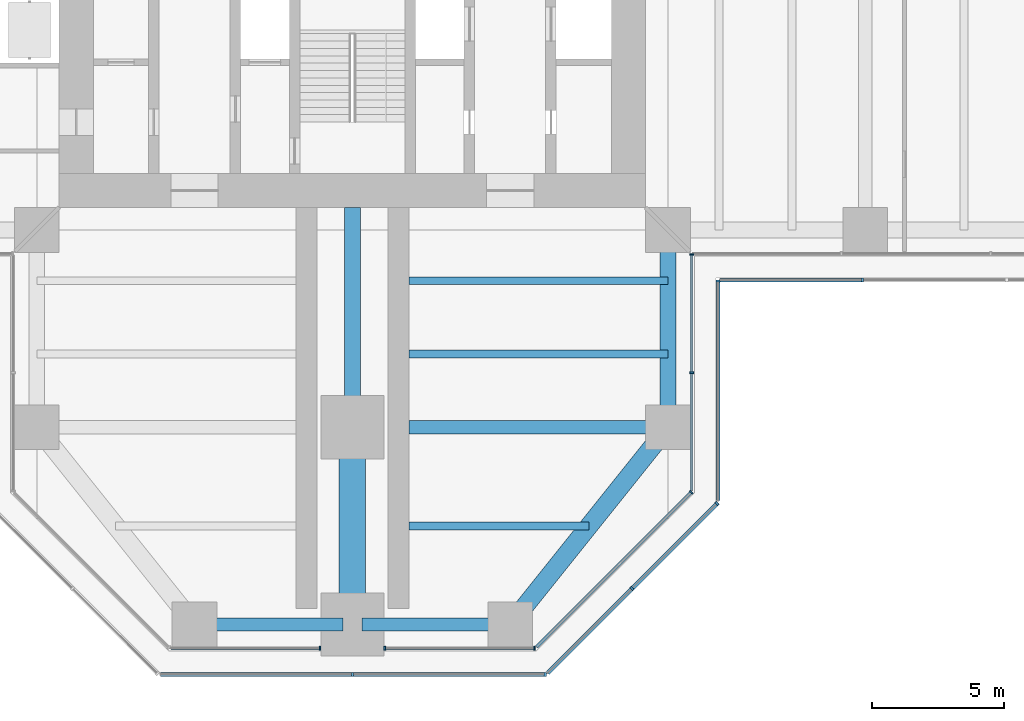
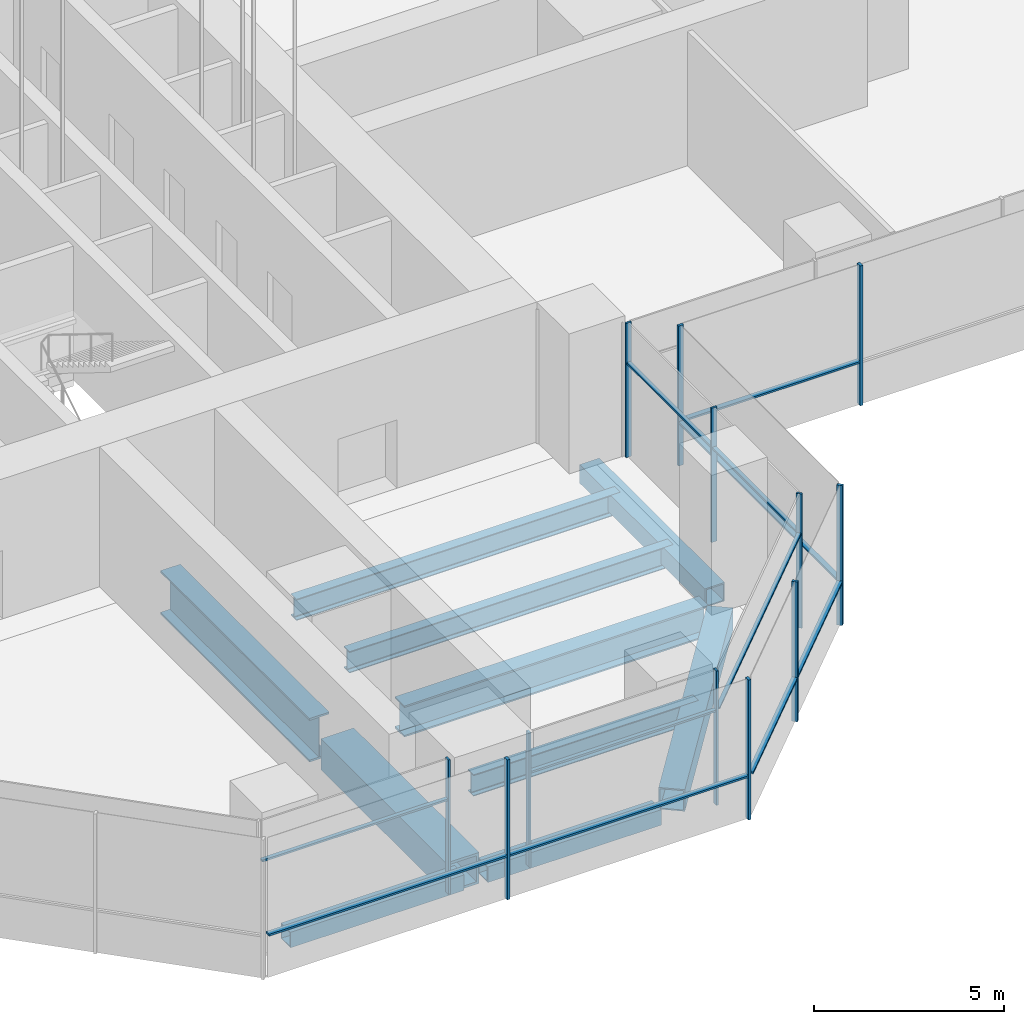
# One storey, part 4 of 34: 23 members, 10 beams, 8 elements without a shape of their own.
"""IFC4 building model written with IfcOpenShell, lengths in metres."""

from ifc_helpers import new_model, si_unit, direction, frame, origin, origin_2d, place, context, subcontext, project, spatial, rectangle, hollow_rectangle, i_section, extrude, material, material_profile, profile_set, type_object, element, aggregate, save


model = new_model("IFC4")

# Units and contexts
model_context = context("Model", 3, precision=1e-05, world=origin(), true_north=direction((0.0, 1.0)))
body_context = subcontext(model_context, "Body", "Model", "MODEL_VIEW")
ifc_project = project(units=[si_unit("LENGTHUNIT", "METRE"), si_unit("AREAUNIT", "SQUARE_METRE"), si_unit("VOLUMEUNIT", "CUBIC_METRE"), si_unit("PLANEANGLEUNIT", "RADIAN"), si_unit("MASSUNIT", "GRAM", prefix="KILO")], contexts=[model_context])

# Site, building, storey
site_placement = place(None, origin())
site = spatial("IfcSite", under=ifc_project, at=site_placement, CompositionType="ELEMENT")
building_placement = place(site_placement, origin())
building = spatial("IfcBuilding", under=site, at=building_placement, Name="Mizan Broadcast Tower", CompositionType="ELEMENT")
storey_placement = place(building_placement, frame((0.0, 0.0, 194.39990234375)))
storey = spatial("IfcBuildingStorey", under=building, at=storey_placement, Name="L45", CompositionType="ELEMENT", Elevation=194.39990234375)

# Beams
ifc_material_1 = material(Name="Steel S355", Category="steel")
ifc_material_profile_1 = material_profile(ifc_material_1, hollow_rectangle(XDim=0.5, YDim=0.5, WallThickness=0.030029296875, at=origin_2d()), Name="BOX 500x500x30")
ifc_profile_set_1 = profile_set([ifc_material_profile_1], Name="Steel S355")
beam_type_1 = type_object("IfcBeamType", Name="EDGE BEAM BOX 500x500x30", PredefinedType="SPANDREL", material=ifc_profile_set_1)
for number, where, z_axis, x_axis, name in (
    (1, (-5.639892578125, -27.0, -0.3798828125), (1.0, 0.0, 0.0), (0.0, 1.0, 0.0), "Edge beam BOX 500x500x30 L45 south arm"),
    (2, (5.639892578125, -27.0, -0.3798828125), (-1.0, 0.0, 0.0), (0.0, -1.0, 0.0), "Edge beam BOX 500x500x30 L45 south arm"),
):
    element("IfcBeam", number, at=place(storey_placement, frame(where, z_axis=z_axis, x_axis=x_axis)), inside=storey, type_object=beam_type_1, Name=name, PredefinedType="SPANDREL", context=body_context, shape_type="SweptSolid", body=[
        extrude(hollow_rectangle(XDim=0.5, YDim=0.5, WallThickness=0.030029296875, at=origin_2d()), origin(), (0.0, 0.0, 1.0), 5.27978515625),
    ])
ifc_material_2 = material(Name="Steel S355", Category="steel")
ifc_material_profile_2 = material_profile(ifc_material_2, hollow_rectangle(XDim=0.60009765625, YDim=0.60009765625, WallThickness=0.0400390625, at=origin_2d()), Name="BOX 600x600x40")
ifc_profile_set_2 = profile_set([ifc_material_profile_2], Name="Steel S355")
beam_type_2 = type_object("IfcBeamType", Name="EDGE BEAM BOX 600x600x40", PredefinedType="SPANDREL", material=ifc_profile_set_2)
beam_1_placement = place(storey_placement, frame((12.0, -12.449951171875, -0.429931640625), z_axis=(0.0, -1.0, 0.0), x_axis=(1.0, 0.0, 0.0)))
element("IfcBeam", 3, at=beam_1_placement, inside=storey, type_object=beam_type_2, Name="Edge beam BOX 600x600x40 L45 south arm", PredefinedType="SPANDREL", context=body_context, shape_type="SweptSolid", body=[
    extrude(hollow_rectangle(XDim=0.60009765625, YDim=0.60009765625, WallThickness=0.0400390625, at=origin_2d()), origin(), (0.0, 0.0, 1.0), 6.60009765625),
])
ifc_material_3 = material(Name="Steel S355", Category="steel")
ifc_material_profile_3 = material_profile(ifc_material_3, hollow_rectangle(XDim=0.699951171875, YDim=0.699951171875, WallThickness=0.0400390625, at=origin_2d()), Name="BOX 700x700x40")
ifc_profile_set_3 = profile_set([ifc_material_profile_3], Name="Steel S355")
beam_type_3 = type_object("IfcBeamType", Name="EDGE BEAM BOX 700x700x40", PredefinedType="SPANDREL", material=ifc_profile_set_3)
beam_2_placement = place(storey_placement, frame((11.639892578125, -19.949951171875, -0.47998046875), z_axis=(-0.624673911726, -0.780885717636, 0.0), x_axis=(0.780885717636, -0.624673911726, 0.0)))
element("IfcBeam", 4, at=beam_2_placement, inside=storey, type_object=beam_type_3, Name="Edge beam BOX 700x700x40 L45 south arm", PredefinedType="SPANDREL", context=body_context, shape_type="SweptSolid", body=[
    extrude(hollow_rectangle(XDim=0.699951171875, YDim=0.699951171875, WallThickness=0.0400390625, at=origin_2d()), origin(), (0.0, 0.0, 1.0), 8.4521484375),
])
ifc_material_4 = material(Name="Steel S460", Category="steel")
ifc_material_profile_4 = material_profile(ifc_material_4, hollow_rectangle(XDim=1.0, YDim=1.0, WallThickness=0.080078125, at=origin_2d()), Name="BOX 1000x1000x80")
ifc_profile_set_4 = profile_set([ifc_material_profile_4], Name="Steel S460")
beam_type_4 = type_object("IfcBeamType", Name="GIRDER BOX 1000x1000x80", PredefinedType="BEAM", material=ifc_profile_set_4)
beam_3_placement = place(storey_placement, frame((0.0, -19.949951171875, -0.6298828125), z_axis=(0.0, -1.0, 0.0), x_axis=(1.0, 0.0, 0.0)))
element("IfcBeam", 5, at=beam_3_placement, inside=storey, type_object=beam_type_4, Name="Girder BOX 1000x1000x80 L45 south arm", PredefinedType="BEAM", context=body_context, shape_type="SweptSolid", body=[
    extrude(hollow_rectangle(XDim=1.0, YDim=1.0, WallThickness=0.080078125, at=origin_2d()), origin(), (0.0, 0.0, 1.0), 6.60009765625),
])
ifc_material_5 = material(Name="Steel S460", Category="steel")
ifc_material_profile_5 = material_profile(ifc_material_5, i_section(OverallWidth=0.5, OverallDepth=1.0, WebThickness=0.02490234375, FlangeThickness=0.050048828125, at=origin_2d()), Name="WPG 1000x500")
ifc_profile_set_5 = profile_set([ifc_material_profile_5], Name="Steel S460")
beam_type_5 = type_object("IfcBeamType", Name="GIRDER WPG 1000x500", PredefinedType="BEAM", material=ifc_profile_set_5)
beam_4_placement = place(storey_placement, frame((11.408935546875, -19.5, -0.6298828125), z_axis=(-1.0, 0.0, 0.0), x_axis=(0.0, -1.0, 0.0)))
element("IfcBeam", 6, at=beam_4_placement, inside=storey, type_object=beam_type_5, Name="Girder WPG 1000x500 L45 south arm", PredefinedType="BEAM", context=body_context, shape_type="SweptSolid", body=[
    extrude(i_section(OverallWidth=0.5, OverallDepth=1.0, WebThickness=0.02490234375, FlangeThickness=0.050048828125, at=origin_2d()), origin(), (0.0, 0.0, 1.0), 9.259033203125),
])
ifc_material_6 = material(Name="Steel S460", Category="steel")
ifc_material_profile_6 = material_profile(ifc_material_6, i_section(OverallWidth=0.60009765625, OverallDepth=1.39990234375, WebThickness=0.02490234375, FlangeThickness=0.06005859375, at=origin_2d()), Name="WPG 1400x600")
ifc_profile_set_6 = profile_set([ifc_material_profile_6], Name="Steel S460")
beam_type_6 = type_object("IfcBeamType", Name="GIRDER WPG 1400x600", PredefinedType="BEAM", material=ifc_profile_set_6)
beam_5_placement = place(storey_placement, frame((0.0, -11.14990234375, -0.829833984375), z_axis=(0.0, -1.0, 0.0), x_axis=(1.0, 0.0, 0.0)))
element("IfcBeam", 7, at=beam_5_placement, inside=storey, type_object=beam_type_6, Name="Girder WPG 1400x600 L45 south arm", PredefinedType="BEAM", context=body_context, shape_type="SweptSolid", body=[
    extrude(i_section(OverallWidth=0.60009765625, OverallDepth=1.39990234375, WebThickness=0.02490234375, FlangeThickness=0.06005859375, at=origin_2d()), origin(), (0.0, 0.0, 1.0), 7.84912109375),
])

# Curtain wall, member
ifc_material_7 = material(Name="Aluminium framed glazing", Category="aluminium")
curtain_wall_type_1 = type_object("IfcCurtainWallType", Name="INNER SKIN HIGH ZONE", PredefinedType="USERDEFINED", material=ifc_material_7)
curtain_wall_1_placement = place(storey_placement, origin())
curtain_wall_1 = element("IfcCurtainWall", 8, at=curtain_wall_1_placement, inside=storey, type_object=curtain_wall_type_1, Name="Inner skin high zone L45 S end", ObjectType="INNER SKIN HIGH ZONE", PredefinedType="USERDEFINED")
ifc_material_8 = material(Name="Aluminium, pale anodised", Category="aluminium")
ifc_material_profile_7 = material_profile(ifc_material_8, rectangle(XDim=0.159912109375, YDim=0.06005859375, at=origin_2d()), Name="MULLION 160x60")
ifc_profile_set_7 = profile_set([ifc_material_profile_7], Name="Aluminium, pale anodised")
member_type_1 = type_object("IfcMemberType", Name="INNER SKIN MULLION 60x160", PredefinedType="MULLION", material=ifc_profile_set_7)
member_1_placement = place(storey_placement, frame((-1.22998046875, -27.89990234375, 0.0), z_axis=(0.0, 0.0, 1.0), x_axis=(0.0, 1.0, 0.0)))
member_1 = element("IfcMember", 9, at=member_1_placement, type_object=member_type_1, Name="Inner skin high zone L45 S end mullion 2", PredefinedType="MULLION", context=body_context, shape_type="SweptSolid", body=[
    extrude(rectangle(XDim=0.159912109375, YDim=0.06005859375, at=origin_2d()), origin(), (0.0, 0.0, 1.0), 4.320068359375),
])

# Curtain wall, members
curtain_wall_2_placement = place(storey_placement, origin())
curtain_wall_2 = element("IfcCurtainWall", 10, at=curtain_wall_2_placement, inside=storey, type_object=curtain_wall_type_1, Name="Inner skin high zone L45 S end", ObjectType="INNER SKIN HIGH ZONE", PredefinedType="USERDEFINED")
member_2_placement = place(storey_placement, frame((1.22998046875, -27.89990234375, 0.0), z_axis=(0.0, 0.0, 1.0), x_axis=(0.0, 1.0, 0.0)))
member_2 = element("IfcMember", 11, at=member_2_placement, type_object=member_type_1, Name="Inner skin high zone L45 S end mullion 1", PredefinedType="MULLION", context=body_context, shape_type="SweptSolid", body=[
    extrude(rectangle(XDim=0.159912109375, YDim=0.06005859375, at=origin_2d()), origin(), (0.0, 0.0, 1.0), 4.320068359375),
])
member_3_placement = place(storey_placement, frame((6.928466796875, -27.89990234375, 0.0), z_axis=(0.0, 0.0, 1.0), x_axis=(0.0, 1.0, 0.0)))
member_3 = element("IfcMember", 12, at=member_3_placement, type_object=member_type_1, Name="Inner skin high zone L45 S end mullion 2", PredefinedType="MULLION", context=body_context, shape_type="SweptSolid", body=[
    extrude(rectangle(XDim=0.159912109375, YDim=0.06005859375, at=origin_2d()), origin(), (0.0, 0.0, 1.0), 4.320068359375),
])

# Curtain wall, member
curtain_wall_3_placement = place(storey_placement, origin())
curtain_wall_3 = element("IfcCurtainWall", 13, at=curtain_wall_3_placement, inside=storey, type_object=curtain_wall_type_1, Name="Inner skin high zone L45 S chamfer", ObjectType="INNER SKIN HIGH ZONE", PredefinedType="USERDEFINED")
member_4_placement = place(storey_placement, frame((12.87890625, -21.979736328125, 0.0), z_axis=(0.0, 0.0, 1.0), x_axis=(-0.707106781187, 0.707106781187, 0.0)))
member_4 = element("IfcMember", 14, at=member_4_placement, type_object=member_type_1, Name="Inner skin high zone L45 S chamfer mullion 2", PredefinedType="MULLION", context=body_context, shape_type="SweptSolid", body=[
    extrude(rectangle(XDim=0.159912109375, YDim=0.06005859375, at=origin_2d()), origin(), (0.0, 0.0, 1.0), 4.320068359375),
])

# Curtain wall, members
curtain_wall_4_placement = place(storey_placement, origin())
curtain_wall_4 = element("IfcCurtainWall", 15, at=curtain_wall_4_placement, inside=storey, type_object=curtain_wall_type_1, Name="Inner skin high zone L45 S side", ObjectType="INNER SKIN HIGH ZONE", PredefinedType="USERDEFINED")
member_5_placement = place(storey_placement, frame((12.89990234375, -17.42919921875, 0.0), z_axis=(0.0, 0.0, 1.0), x_axis=(-1.0, 0.0, 0.0)))
member_5 = element("IfcMember", 16, at=member_5_placement, type_object=member_type_1, Name="Inner skin high zone L45 S side mullion 2", PredefinedType="MULLION", context=body_context, shape_type="SweptSolid", body=[
    extrude(rectangle(XDim=0.159912109375, YDim=0.06005859375, at=origin_2d()), origin(), (0.0, 0.0, 1.0), 4.320068359375),
])
member_6_placement = place(storey_placement, frame((12.89990234375, -12.929931640625, 0.0), z_axis=(0.0, 0.0, 1.0), x_axis=(-1.0, 0.0, 0.0)))
member_6 = element("IfcMember", 17, at=member_6_placement, type_object=member_type_1, Name="Inner skin high zone L45 S side mullion 3", PredefinedType="MULLION", context=body_context, shape_type="SweptSolid", body=[
    extrude(rectangle(XDim=0.159912109375, YDim=0.06005859375, at=origin_2d()), origin(), (0.0, 0.0, 1.0), 4.320068359375),
])

# Member
ifc_material_9 = material(Name="Aluminium, pale anodised", Category="aluminium")
ifc_material_profile_8 = material_profile(ifc_material_9, rectangle(XDim=0.1201171875, YDim=0.06005859375, at=origin_2d()), Name="TRANSOM 120x60")
ifc_profile_set_8 = profile_set([ifc_material_profile_8], Name="Aluminium, pale anodised")
member_type_2 = type_object("IfcMemberType", Name="INNER SKIN TRANSOM 60x120", PredefinedType="USERDEFINED", material=ifc_profile_set_8)
member_7_placement = place(storey_placement, frame((-6.898681640625, -27.89990234375, 3.030029296875), z_axis=(1.0, 0.0, 0.0), x_axis=(0.0, 1.0, 0.0)))
member_7 = element("IfcMember", 18, at=member_7_placement, type_object=member_type_2, Name="Inner skin high zone L45 S end transom 1.1", ObjectType="TRANSOM", PredefinedType="USERDEFINED", context=body_context, shape_type="SweptSolid", body=[
    extrude(rectangle(XDim=0.1201171875, YDim=0.06005859375, at=origin_2d()), origin(), (0.0, 0.0, 1.0), 5.638671875),
])

aggregate(curtain_wall_1, [member_1, member_7])

member_8_placement = place(storey_placement, frame((1.260009765625, -27.89990234375, 3.030029296875), z_axis=(1.0, 0.0, 0.0), x_axis=(0.0, 1.0, 0.0)))
member_8 = element("IfcMember", 19, at=member_8_placement, type_object=member_type_2, Name="Inner skin high zone L45 S end transom 1.1", ObjectType="TRANSOM", PredefinedType="USERDEFINED", context=body_context, shape_type="SweptSolid", body=[
    extrude(rectangle(XDim=0.1201171875, YDim=0.06005859375, at=origin_2d()), origin(), (0.0, 0.0, 1.0), 5.638671875),
])

aggregate(curtain_wall_2, [member_2, member_3, member_8])

member_9_placement = place(storey_placement, frame((7.0009765625, -27.857666015625, 3.030029296875), z_axis=(0.707106781187, 0.707106781187, 0.0), x_axis=(-0.707106781187, 0.707106781187, 0.0)))
member_9 = element("IfcMember", 20, at=member_9_placement, type_object=member_type_2, Name="Inner skin high zone L45 S chamfer transom 1.1", ObjectType="TRANSOM", PredefinedType="USERDEFINED", context=body_context, shape_type="SweptSolid", body=[
    extrude(rectangle(XDim=0.1201171875, YDim=0.06005859375, at=origin_2d()), origin(), (0.0, 0.0, 1.0), 8.28271484375),
])

aggregate(curtain_wall_3, [member_4, member_9])

member_10_placement = place(storey_placement, frame((12.89990234375, -21.898681640625, 3.030029296875), z_axis=(0.0, 1.0, 0.0), x_axis=(-1.0, 0.0, 0.0)))
member_10 = element("IfcMember", 21, at=member_10_placement, type_object=member_type_2, Name="Inner skin high zone L45 S side transom 1.1", ObjectType="TRANSOM", PredefinedType="USERDEFINED", context=body_context, shape_type="SweptSolid", body=[
    extrude(rectangle(XDim=0.1201171875, YDim=0.06005859375, at=origin_2d()), origin(), (0.0, 0.0, 1.0), 4.439453125),
])

member_11_placement = place(storey_placement, frame((12.89990234375, -17.399169921875, 3.030029296875), z_axis=(0.0, 1.0, 0.0), x_axis=(-1.0, 0.0, 0.0)))
member_11 = element("IfcMember", 22, at=member_11_placement, type_object=member_type_2, Name="Inner skin high zone L45 S side transom 2.1", ObjectType="TRANSOM", PredefinedType="USERDEFINED", context=body_context, shape_type="SweptSolid", body=[
    extrude(rectangle(XDim=0.1201171875, YDim=0.06005859375, at=origin_2d()), origin(), (0.0, 0.0, 1.0), 4.439208984375),
])

aggregate(curtain_wall_4, [member_5, member_6, member_10, member_11])

# Curtain wall, member
ifc_material_10 = material(Name="Aluminium framed glazing", Category="aluminium")
curtain_wall_type_2 = type_object("IfcCurtainWallType", Name="OUTER SKIN", PredefinedType="USERDEFINED", material=ifc_material_10)
curtain_wall_5_placement = place(storey_placement, origin())
curtain_wall_5 = element("IfcCurtainWall", 23, at=curtain_wall_5_placement, inside=storey, type_object=curtain_wall_type_2, Name="Outer skin L45 E side", ObjectType="OUTER SKIN", PredefinedType="USERDEFINED")
ifc_material_11 = material(Name="Aluminium, pale anodised", Category="aluminium")
ifc_material_profile_9 = material_profile(ifc_material_11, rectangle(XDim=0.159912109375, YDim=0.080078125, at=origin_2d()), Name="MULLION 160x80")
ifc_profile_set_9 = profile_set([ifc_material_profile_9], Name="Aluminium, pale anodised")
member_type_3 = type_object("IfcMemberType", Name="OUTER SKIN MULLION 80x160", PredefinedType="MULLION", material=ifc_profile_set_9)
member_12_placement = place(storey_placement, frame((19.390869140625, -13.89990234375, 0.0), z_axis=(0.0, 0.0, 1.0), x_axis=(0.0, 1.0, 0.0)))
member_12 = element("IfcMember", 24, at=member_12_placement, type_object=member_type_3, Name="Outer skin L45 E side mullion 2", PredefinedType="MULLION", context=body_context, shape_type="SweptSolid", body=[
    extrude(rectangle(XDim=0.159912109375, YDim=0.080078125, at=origin_2d()), origin(), (0.0, 0.0, 1.0), 4.5),
])

# Curtain wall, members
curtain_wall_6_placement = place(storey_placement, origin())
curtain_wall_6 = element("IfcCurtainWall", 25, at=curtain_wall_6_placement, inside=storey, type_object=curtain_wall_type_2, Name="Outer skin L45 S end", ObjectType="OUTER SKIN", PredefinedType="USERDEFINED")
member_13_placement = place(storey_placement, frame((0.0, -28.89990234375, 0.0), z_axis=(0.0, 0.0, 1.0), x_axis=(0.0, 1.0, 0.0)))
member_13 = element("IfcMember", 26, at=member_13_placement, type_object=member_type_3, Name="Outer skin L45 S end mullion 2", PredefinedType="MULLION", context=body_context, shape_type="SweptSolid", body=[
    extrude(rectangle(XDim=0.159912109375, YDim=0.080078125, at=origin_2d()), origin(), (0.0, 0.0, 1.0), 4.5),
])
member_14_placement = place(storey_placement, frame((7.332763671875, -28.89990234375, 0.0), z_axis=(0.0, 0.0, 1.0), x_axis=(0.0, 1.0, 0.0)))
member_14 = element("IfcMember", 27, at=member_14_placement, type_object=member_type_3, Name="Outer skin L45 S end mullion 3", PredefinedType="MULLION", context=body_context, shape_type="SweptSolid", body=[
    extrude(rectangle(XDim=0.159912109375, YDim=0.080078125, at=origin_2d()), origin(), (0.0, 0.0, 1.0), 4.5),
])

curtain_wall_7_placement = place(storey_placement, origin())
curtain_wall_7 = element("IfcCurtainWall", 28, at=curtain_wall_7_placement, inside=storey, type_object=curtain_wall_type_2, Name="Outer skin L45 S chamfer", ObjectType="OUTER SKIN", PredefinedType="USERDEFINED")
member_15_placement = place(storey_placement, frame((10.636474609375, -25.636474609375, 0.0), z_axis=(0.0, 0.0, 1.0), x_axis=(-0.707106781187, 0.707106781187, 0.0)))
member_15 = element("IfcMember", 29, at=member_15_placement, type_object=member_type_3, Name="Outer skin L45 S chamfer mullion 2", PredefinedType="MULLION", context=body_context, shape_type="SweptSolid", body=[
    extrude(rectangle(XDim=0.159912109375, YDim=0.080078125, at=origin_2d()), origin(), (0.0, 0.0, 1.0), 4.5),
])
member_16_placement = place(storey_placement, frame((13.871826171875, -22.401123046875, 0.0), z_axis=(0.0, 0.0, 1.0), x_axis=(-0.707106781187, 0.707106781187, 0.0)))
member_16 = element("IfcMember", 30, at=member_16_placement, type_object=member_type_3, Name="Outer skin L45 S chamfer mullion 3", PredefinedType="MULLION", context=body_context, shape_type="SweptSolid", body=[
    extrude(rectangle(XDim=0.159912109375, YDim=0.080078125, at=origin_2d()), origin(), (0.0, 0.0, 1.0), 4.5),
])

# Curtain wall, member
curtain_wall_8_placement = place(storey_placement, origin())
curtain_wall_8 = element("IfcCurtainWall", 31, at=curtain_wall_8_placement, inside=storey, type_object=curtain_wall_type_2, Name="Outer skin L45 S side", ObjectType="OUTER SKIN", PredefinedType="USERDEFINED")
member_17_placement = place(storey_placement, frame((13.89990234375, -13.93994140625, 0.0), z_axis=(0.0, 0.0, 1.0), x_axis=(-1.0, 0.0, 0.0)))
member_17 = element("IfcMember", 32, at=member_17_placement, type_object=member_type_3, Name="Outer skin L45 S side mullion 2", PredefinedType="MULLION", context=body_context, shape_type="SweptSolid", body=[
    extrude(rectangle(XDim=0.159912109375, YDim=0.080078125, at=origin_2d()), origin(), (0.0, 0.0, 1.0), 4.5),
])

# Member
ifc_material_12 = material(Name="Aluminium, pale anodised", Category="aluminium")
ifc_material_profile_10 = material_profile(ifc_material_12, rectangle(XDim=0.159912109375, YDim=0.06005859375, at=origin_2d()), Name="TRANSOM 160x60")
ifc_profile_set_10 = profile_set([ifc_material_profile_10], Name="Aluminium, pale anodised")
member_type_4 = type_object("IfcMemberType", Name="OUTER SKIN TRANSOM 60x160", PredefinedType="USERDEFINED", material=ifc_profile_set_10)
member_18_placement = place(storey_placement, frame((13.97998046875, -13.89990234375, 1.400146484375), z_axis=(1.0, 0.0, 0.0), x_axis=(0.0, 1.0, 0.0)))
member_18 = element("IfcMember", 33, at=member_18_placement, type_object=member_type_4, Name="Outer skin L45 E side transom 1.1", ObjectType="TRANSOM", PredefinedType="USERDEFINED", context=body_context, shape_type="SweptSolid", body=[
    extrude(rectangle(XDim=0.159912109375, YDim=0.06005859375, at=origin_2d()), origin(), (0.0, 0.0, 1.0), 5.370849609375),
])

aggregate(curtain_wall_5, [member_12, member_18])

member_19_placement = place(storey_placement, frame((-7.292724609375, -28.89990234375, 1.400146484375), z_axis=(1.0, 0.0, 0.0), x_axis=(0.0, 1.0, 0.0)))
member_19 = element("IfcMember", 34, at=member_19_placement, type_object=member_type_4, Name="Outer skin L45 S end transom 1.1", ObjectType="TRANSOM", PredefinedType="USERDEFINED", context=body_context, shape_type="SweptSolid", body=[
    extrude(rectangle(XDim=0.159912109375, YDim=0.06005859375, at=origin_2d()), origin(), (0.0, 0.0, 1.0), 7.252685546875),
])

member_20_placement = place(storey_placement, frame((0.0400390625, -28.89990234375, 1.400146484375), z_axis=(1.0, 0.0, 0.0), x_axis=(0.0, 1.0, 0.0)))
member_20 = element("IfcMember", 35, at=member_20_placement, type_object=member_type_4, Name="Outer skin L45 S end transom 2.1", ObjectType="TRANSOM", PredefinedType="USERDEFINED", context=body_context, shape_type="SweptSolid", body=[
    extrude(rectangle(XDim=0.159912109375, YDim=0.06005859375, at=origin_2d()), origin(), (0.0, 0.0, 1.0), 7.252685546875),
])

aggregate(curtain_wall_6, [member_13, member_14, member_19, member_20])

member_21_placement = place(storey_placement, frame((7.429443359375, -28.843505859375, 1.400146484375), z_axis=(0.707106781187, 0.707106781187, 0.0), x_axis=(-0.707106781187, 0.707106781187, 0.0)))
member_21 = element("IfcMember", 36, at=member_21_placement, type_object=member_type_4, Name="Outer skin L45 S chamfer transom 1.1", ObjectType="TRANSOM", PredefinedType="USERDEFINED", context=body_context, shape_type="SweptSolid", body=[
    extrude(rectangle(XDim=0.159912109375, YDim=0.06005859375, at=origin_2d()), origin(), (0.0, 0.0, 1.0), 4.495361328125),
])

member_22_placement = place(storey_placement, frame((10.664794921875, -25.608154296875, 1.400146484375), z_axis=(0.707106781187, 0.707106781187, 0.0), x_axis=(-0.707106781187, 0.707106781187, 0.0)))
member_22 = element("IfcMember", 37, at=member_22_placement, type_object=member_type_4, Name="Outer skin L45 S chamfer transom 2.1", ObjectType="TRANSOM", PredefinedType="USERDEFINED", context=body_context, shape_type="SweptSolid", body=[
    extrude(rectangle(XDim=0.159912109375, YDim=0.06005859375, at=origin_2d()), origin(), (0.0, 0.0, 1.0), 4.495361328125),
])

aggregate(curtain_wall_7, [member_15, member_16, member_21, member_22])

member_23_placement = place(storey_placement, frame((13.89990234375, -22.292724609375, 1.400146484375), z_axis=(0.0, 1.0, 0.0), x_axis=(-1.0, 0.0, 0.0)))
member_23 = element("IfcMember", 38, at=member_23_placement, type_object=member_type_4, Name="Outer skin L45 S side transom 1.1", ObjectType="TRANSOM", PredefinedType="USERDEFINED", context=body_context, shape_type="SweptSolid", body=[
    extrude(rectangle(XDim=0.159912109375, YDim=0.06005859375, at=origin_2d()), origin(), (0.0, 0.0, 1.0), 8.312744140625),
])

aggregate(curtain_wall_8, [member_17, member_23])

# Beams
ifc_material_13 = material(Name="Steel S355", Category="steel")
ifc_material_profile_11 = material_profile(ifc_material_13, i_section(OverallWidth=0.300048828125, OverallDepth=0.68994140625, WebThickness=0.014404296875, FlangeThickness=0.027099609375, FilletRadius=0.027099609375, at=origin_2d()), Name="HEA 700")
ifc_profile_set_11 = profile_set([ifc_material_profile_11], Name="Steel S355")
beam_type_7 = type_object("IfcBeamType", Name="SECONDARY BEAM HEA 700", PredefinedType="JOIST", material=ifc_profile_set_11)
for number, where, z_axis, x_axis, name in (
    (39, (12.0, -13.933349609375, -0.474853515625), (-1.0, 0.0, 0.0), (0.0, -1.0, 0.0), "Secondary beam HEA 700 L45 south arm"),
    (40, (12.0, -16.716552734375, -0.474853515625), (-1.0, 0.0, 0.0), (0.0, -1.0, 0.0), "Secondary beam HEA 700 L45 south arm"),
):
    element("IfcBeam", number, at=place(storey_placement, frame(where, z_axis=z_axis, x_axis=x_axis)), inside=storey, type_object=beam_type_7, Name=name, PredefinedType="JOIST", context=body_context, shape_type="SweptSolid", body=[
        extrude(i_section(OverallWidth=0.300048828125, OverallDepth=0.68994140625, WebThickness=0.014404296875, FlangeThickness=0.027099609375, FilletRadius=0.027099609375, at=origin_2d()), origin(), (0.0, 0.0, 1.0), 9.85009765625),
    ])
beam_6_placement = place(storey_placement, frame((9.0, -23.25, -0.474853515625), z_axis=(-1.0, 0.0, 0.0), x_axis=(0.0, -1.0, 0.0)))
element("IfcBeam", 41, at=beam_6_placement, inside=storey, type_object=beam_type_7, Name="Secondary beam HEA 700 L45 south arm", PredefinedType="JOIST", context=body_context, shape_type="SweptSolid", body=[
    extrude(i_section(OverallWidth=0.300048828125, OverallDepth=0.68994140625, WebThickness=0.014404296875, FlangeThickness=0.027099609375, FilletRadius=0.027099609375, at=origin_2d()), origin(), (0.0, 0.0, 1.0), 6.85009765625),
])

save(model, "model.ifc")
